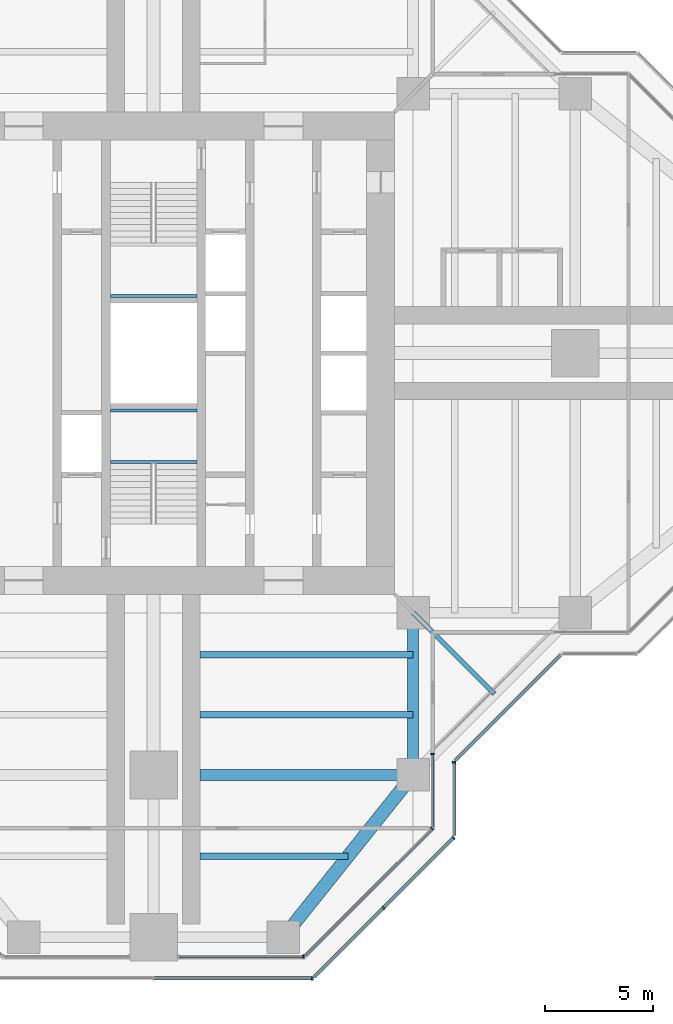
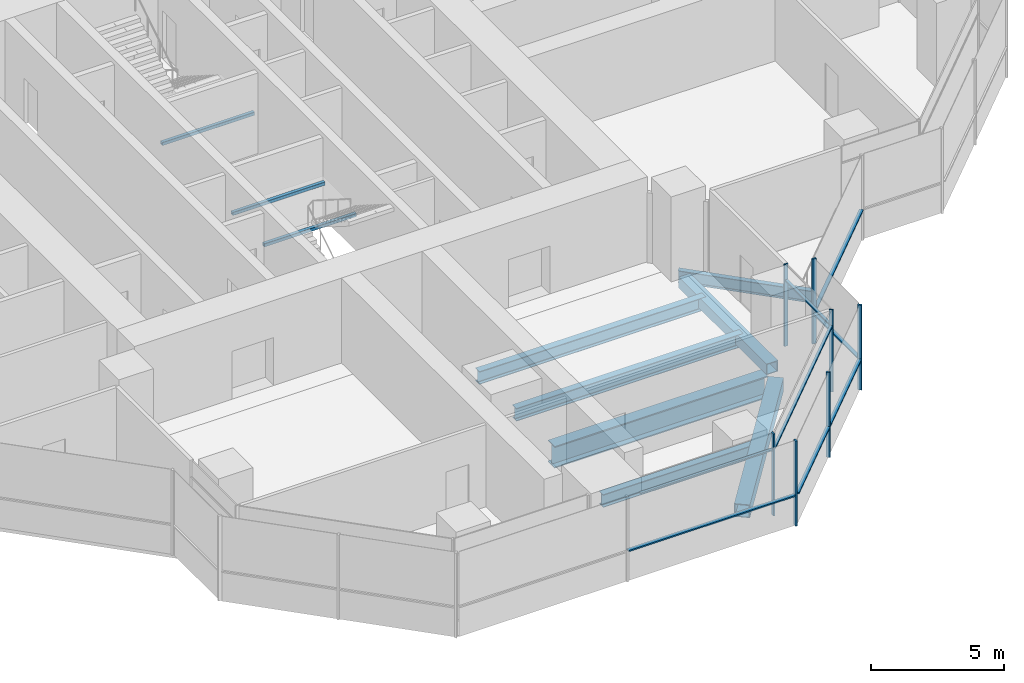
# One storey, part 4 of 17: 15 members, 10 beams, 7 elements without a shape of their own.
"""IFC4 building model written with IfcOpenShell, lengths in metres."""

from ifc_helpers import new_model, si_unit, direction, frame, origin, origin_2d, place, context, subcontext, project, spatial, rectangle, hollow_rectangle, i_section, extrude, material, material_profile, profile_set, type_object, element, aggregate, save


model = new_model("IFC4")

# Units and contexts
model_context = context("Model", 3, precision=1e-05, world=origin(), true_north=direction((0.0, 1.0)))
body_context = subcontext(model_context, "Body", "Model", "MODEL_VIEW")
ifc_project = project(units=[si_unit("LENGTHUNIT", "METRE"), si_unit("AREAUNIT", "SQUARE_METRE"), si_unit("VOLUMEUNIT", "CUBIC_METRE"), si_unit("PLANEANGLEUNIT", "RADIAN"), si_unit("MASSUNIT", "GRAM", prefix="KILO")], contexts=[model_context])

# Site, building, storey
site_placement = place(None, origin())
site = spatial("IfcSite", under=ifc_project, at=site_placement, CompositionType="ELEMENT")
building_placement = place(site_placement, origin())
building = spatial("IfcBuilding", under=site, at=building_placement, Name="Mizan Broadcast Tower", CompositionType="ELEMENT")
storey_placement = place(building_placement, frame((0.0, 0.0, 208.800048828125)))
storey = spatial("IfcBuildingStorey", under=building, at=storey_placement, Name="L48", CompositionType="ELEMENT", Elevation=208.800048828125)

# Beams
ifc_material_1 = material(Name="Steel S355", Category="steel")
ifc_material_profile_1 = material_profile(ifc_material_1, hollow_rectangle(XDim=0.5, YDim=0.5, WallThickness=0.030029296875, at=origin_2d()), Name="BOX 500x500x30")
ifc_profile_set_1 = profile_set([ifc_material_profile_1], Name="Steel S355")
beam_type_1 = type_object("IfcBeamType", Name="EDGE BEAM BOX 500x500x30", PredefinedType="SPANDREL", material=ifc_profile_set_1)
beam_1_placement = place(storey_placement, frame((12.0, -12.449951171875, -0.380126953125), z_axis=(0.0, -1.0, 0.0), x_axis=(1.0, 0.0, 0.0)))
element("IfcBeam", 1, at=beam_1_placement, inside=storey, type_object=beam_type_1, Name="Edge beam BOX 500x500x30 L48 south arm", PredefinedType="SPANDREL", context=body_context, shape_type="SweptSolid", body=[
    extrude(hollow_rectangle(XDim=0.5, YDim=0.5, WallThickness=0.030029296875, at=origin_2d()), origin(), (0.0, 0.0, 1.0), 6.60009765625),
])
ifc_material_2 = material(Name="Steel S355", Category="steel")
ifc_material_profile_2 = material_profile(ifc_material_2, hollow_rectangle(XDim=0.60009765625, YDim=0.60009765625, WallThickness=0.030029296875, at=origin_2d()), Name="BOX 600x600x30")
ifc_profile_set_2 = profile_set([ifc_material_profile_2], Name="Steel S355")
beam_type_2 = type_object("IfcBeamType", Name="EDGE BEAM BOX 600x600x30", PredefinedType="SPANDREL", material=ifc_profile_set_2)
beam_2_placement = place(storey_placement, frame((11.639892578125, -19.949951171875, -0.429931640625), z_axis=(-0.624673911726, -0.780885717636, 0.0), x_axis=(0.780885717636, -0.624673911726, 0.0)))
element("IfcBeam", 2, at=beam_2_placement, inside=storey, type_object=beam_type_2, Name="Edge beam BOX 600x600x30 L48 south arm", PredefinedType="SPANDREL", context=body_context, shape_type="SweptSolid", body=[
    extrude(hollow_rectangle(XDim=0.60009765625, YDim=0.60009765625, WallThickness=0.030029296875, at=origin_2d()), origin(), (0.0, 0.0, 1.0), 8.4521484375),
])
ifc_material_3 = material(Name="Steel S460", Category="steel")
ifc_material_profile_3 = material_profile(ifc_material_3, i_section(OverallWidth=0.5, OverallDepth=1.0, WebThickness=0.02490234375, FlangeThickness=0.050048828125, at=origin_2d()), Name="WPG 1000x500")
ifc_profile_set_3 = profile_set([ifc_material_profile_3], Name="Steel S460")
beam_type_3 = type_object("IfcBeamType", Name="GIRDER WPG 1000x500", PredefinedType="BEAM", material=ifc_profile_set_3)
beam_3_placement = place(storey_placement, frame((11.408935546875, -19.5, -0.630126953125), z_axis=(-1.0, 0.0, 0.0), x_axis=(0.0, -1.0, 0.0)))
element("IfcBeam", 3, at=beam_3_placement, inside=storey, type_object=beam_type_3, Name="Girder WPG 1000x500 L48 south arm", PredefinedType="BEAM", context=body_context, shape_type="SweptSolid", body=[
    extrude(i_section(OverallWidth=0.5, OverallDepth=1.0, WebThickness=0.02490234375, FlangeThickness=0.050048828125, at=origin_2d()), origin(), (0.0, 0.0, 1.0), 9.259033203125),
])

# Curtain wall, member
ifc_material_4 = material(Name="Aluminium framed glazing", Category="aluminium")
curtain_wall_type_1 = type_object("IfcCurtainWallType", Name="INNER SKIN HIGH ZONE", PredefinedType="USERDEFINED", material=ifc_material_4)
curtain_wall_1_placement = place(storey_placement, origin())
curtain_wall_1 = element("IfcCurtainWall", 4, at=curtain_wall_1_placement, inside=storey, type_object=curtain_wall_type_1, Name="Inner skin high zone L48 S end", ObjectType="INNER SKIN HIGH ZONE", PredefinedType="USERDEFINED")
ifc_material_5 = material(Name="Aluminium, pale anodised", Category="aluminium")
ifc_material_profile_4 = material_profile(ifc_material_5, rectangle(XDim=0.159912109375, YDim=0.06005859375, at=origin_2d()), Name="MULLION 160x60")
ifc_profile_set_4 = profile_set([ifc_material_profile_4], Name="Aluminium, pale anodised")
member_type_1 = type_object("IfcMemberType", Name="INNER SKIN MULLION 60x160", PredefinedType="MULLION", material=ifc_profile_set_4)
member_1_placement = place(storey_placement, frame((6.928466796875, -27.89990234375, 0.0), z_axis=(0.0, 0.0, 1.0), x_axis=(0.0, 1.0, 0.0)))
member_1 = element("IfcMember", 5, at=member_1_placement, type_object=member_type_1, Name="Inner skin high zone L48 S end mullion 2", PredefinedType="MULLION", context=body_context, shape_type="SweptSolid", body=[
    extrude(rectangle(XDim=0.159912109375, YDim=0.06005859375, at=origin_2d()), origin(), (0.0, 0.0, 1.0), 3.77001953125),
])

curtain_wall_2_placement = place(storey_placement, origin())
curtain_wall_2 = element("IfcCurtainWall", 6, at=curtain_wall_2_placement, inside=storey, type_object=curtain_wall_type_1, Name="Inner skin high zone L48 S chamfer", ObjectType="INNER SKIN HIGH ZONE", PredefinedType="USERDEFINED")
member_2_placement = place(storey_placement, frame((12.87890625, -21.979736328125, 0.0), z_axis=(0.0, 0.0, 1.0), x_axis=(-0.707106781187, 0.707106781187, 0.0)))
member_2 = element("IfcMember", 7, at=member_2_placement, type_object=member_type_1, Name="Inner skin high zone L48 S chamfer mullion 2", PredefinedType="MULLION", context=body_context, shape_type="SweptSolid", body=[
    extrude(rectangle(XDim=0.159912109375, YDim=0.06005859375, at=origin_2d()), origin(), (0.0, 0.0, 1.0), 3.77001953125),
])

curtain_wall_3_placement = place(storey_placement, origin())
curtain_wall_3 = element("IfcCurtainWall", 8, at=curtain_wall_3_placement, inside=storey, type_object=curtain_wall_type_1, Name="Inner skin high zone L48 S side", ObjectType="INNER SKIN HIGH ZONE", PredefinedType="USERDEFINED")
member_3_placement = place(storey_placement, frame((12.89990234375, -18.530029296875, 0.0), z_axis=(0.0, 0.0, 1.0), x_axis=(-1.0, 0.0, 0.0)))
member_3 = element("IfcMember", 9, at=member_3_placement, type_object=member_type_1, Name="Inner skin high zone L48 S side mullion 2", PredefinedType="MULLION", context=body_context, shape_type="SweptSolid", body=[
    extrude(rectangle(XDim=0.159912109375, YDim=0.06005859375, at=origin_2d()), origin(), (0.0, 0.0, 1.0), 3.77001953125),
])

# Member
ifc_material_6 = material(Name="Aluminium, pale anodised", Category="aluminium")
ifc_material_profile_5 = material_profile(ifc_material_6, rectangle(XDim=0.1201171875, YDim=0.06005859375, at=origin_2d()), Name="TRANSOM 120x60")
ifc_profile_set_5 = profile_set([ifc_material_profile_5], Name="Aluminium, pale anodised")
member_type_2 = type_object("IfcMemberType", Name="INNER SKIN TRANSOM 60x120", PredefinedType="USERDEFINED", material=ifc_profile_set_5)
member_4_placement = place(storey_placement, frame((1.159912109375, -27.89990234375, 3.030029296875), z_axis=(1.0, 0.0, 0.0), x_axis=(0.0, 1.0, 0.0)))
member_4 = element("IfcMember", 10, at=member_4_placement, type_object=member_type_2, Name="Inner skin high zone L48 S end transom 1.1", ObjectType="TRANSOM", PredefinedType="USERDEFINED", context=body_context, shape_type="SweptSolid", body=[
    extrude(rectangle(XDim=0.1201171875, YDim=0.06005859375, at=origin_2d()), origin(), (0.0, 0.0, 1.0), 5.73876953125),
])

aggregate(curtain_wall_1, [member_1, member_4])

member_5_placement = place(storey_placement, frame((7.0009765625, -27.857666015625, 3.030029296875), z_axis=(0.707106781187, 0.707106781187, 0.0), x_axis=(-0.707106781187, 0.707106781187, 0.0)))
member_5 = element("IfcMember", 11, at=member_5_placement, type_object=member_type_2, Name="Inner skin high zone L48 S chamfer transom 1.1", ObjectType="TRANSOM", PredefinedType="USERDEFINED", context=body_context, shape_type="SweptSolid", body=[
    extrude(rectangle(XDim=0.1201171875, YDim=0.06005859375, at=origin_2d()), origin(), (0.0, 0.0, 1.0), 8.28271484375),
])

aggregate(curtain_wall_2, [member_2, member_5])

member_6_placement = place(storey_placement, frame((12.89990234375, -21.898681640625, 3.030029296875), z_axis=(0.0, 1.0, 0.0), x_axis=(-1.0, 0.0, 0.0)))
member_6 = element("IfcMember", 12, at=member_6_placement, type_object=member_type_2, Name="Inner skin high zone L48 S side transom 1.1", ObjectType="TRANSOM", PredefinedType="USERDEFINED", context=body_context, shape_type="SweptSolid", body=[
    extrude(rectangle(XDim=0.1201171875, YDim=0.06005859375, at=origin_2d()), origin(), (0.0, 0.0, 1.0), 3.338623046875),
])

aggregate(curtain_wall_3, [member_3, member_6])

# Beams
ifc_material_7 = material(Name="Steel S355", Category="steel")
ifc_material_profile_6 = material_profile(ifc_material_7, hollow_rectangle(XDim=0.14990234375, YDim=0.14990234375, WallThickness=0.008056640625, InnerFilletRadius=0.008056640625, OuterFilletRadius=0.011962890625, at=origin_2d()), Name="SHS 150x150x8")
ifc_profile_set_6 = profile_set([ifc_material_profile_6], Name="Steel S355")
beam_type_4 = type_object("IfcBeamType", Name="LANDING TRIMMER SHS 150x150x8", PredefinedType="BEAM", material=ifc_profile_set_6)
for number, where, z_axis, x_axis, name in (
    (13, (-2.0, -5.02490234375, 1.675048828125), (1.0, 0.0, 0.0), (0.0, 1.0, 0.0), "Stair A landing trimmer L48"),
    (14, (-2.0, -2.64990234375, 1.675048828125), (1.0, 0.0, 0.0), (0.0, 1.0, 0.0), "Stair A landing trimmer L48"),
    (15, (2.0, 2.64990234375, 1.675048828125), (-1.0, 0.0, 0.0), (0.0, -1.0, 0.0), "Stair B landing trimmer L48"),
):
    element("IfcBeam", number, at=place(storey_placement, frame(where, z_axis=z_axis, x_axis=x_axis)), inside=storey, type_object=beam_type_4, Name=name, PredefinedType="BEAM", context=body_context, shape_type="SweptSolid", body=[
        extrude(hollow_rectangle(XDim=0.14990234375, YDim=0.14990234375, WallThickness=0.008056640625, InnerFilletRadius=0.008056640625, OuterFilletRadius=0.011962890625, at=origin_2d()), origin(), (0.0, 0.0, 1.0), 4.0),
    ])

# Curtain wall, member
ifc_material_8 = material(Name="Aluminium framed glazing", Category="aluminium")
curtain_wall_type_2 = type_object("IfcCurtainWallType", Name="OUTER SKIN", PredefinedType="USERDEFINED", material=ifc_material_8)
curtain_wall_4_placement = place(storey_placement, origin())
curtain_wall_4 = element("IfcCurtainWall", 16, at=curtain_wall_4_placement, inside=storey, type_object=curtain_wall_type_2, Name="Outer skin L48 S end", ObjectType="OUTER SKIN", PredefinedType="USERDEFINED")
ifc_material_9 = material(Name="Aluminium, pale anodised", Category="aluminium")
ifc_material_profile_7 = material_profile(ifc_material_9, rectangle(XDim=0.159912109375, YDim=0.080078125, at=origin_2d()), Name="MULLION 160x80")
ifc_profile_set_7 = profile_set([ifc_material_profile_7], Name="Aluminium, pale anodised")
member_type_3 = type_object("IfcMemberType", Name="OUTER SKIN MULLION 80x160", PredefinedType="MULLION", material=ifc_profile_set_7)
member_7_placement = place(storey_placement, frame((7.332763671875, -28.89990234375, 0.0), z_axis=(0.0, 0.0, 1.0), x_axis=(0.0, 1.0, 0.0)))
member_7 = element("IfcMember", 17, at=member_7_placement, type_object=member_type_3, Name="Outer skin L48 S end mullion 3", PredefinedType="MULLION", context=body_context, shape_type="SweptSolid", body=[
    extrude(rectangle(XDim=0.159912109375, YDim=0.080078125, at=origin_2d()), origin(), (0.0, 0.0, 1.0), 3.89990234375),
])

# Curtain wall, members
curtain_wall_5_placement = place(storey_placement, origin())
curtain_wall_5 = element("IfcCurtainWall", 18, at=curtain_wall_5_placement, inside=storey, type_object=curtain_wall_type_2, Name="Outer skin L48 S chamfer", ObjectType="OUTER SKIN", PredefinedType="USERDEFINED")
member_8_placement = place(storey_placement, frame((10.636474609375, -25.636474609375, 0.0), z_axis=(0.0, 0.0, 1.0), x_axis=(-0.707106781187, 0.707106781187, 0.0)))
member_8 = element("IfcMember", 19, at=member_8_placement, type_object=member_type_3, Name="Outer skin L48 S chamfer mullion 2", PredefinedType="MULLION", context=body_context, shape_type="SweptSolid", body=[
    extrude(rectangle(XDim=0.159912109375, YDim=0.080078125, at=origin_2d()), origin(), (0.0, 0.0, 1.0), 3.89990234375),
])
member_9_placement = place(storey_placement, frame((13.871826171875, -22.401123046875, 0.0), z_axis=(0.0, 0.0, 1.0), x_axis=(-0.707106781187, 0.707106781187, 0.0)))
member_9 = element("IfcMember", 20, at=member_9_placement, type_object=member_type_3, Name="Outer skin L48 S chamfer mullion 3", PredefinedType="MULLION", context=body_context, shape_type="SweptSolid", body=[
    extrude(rectangle(XDim=0.159912109375, YDim=0.080078125, at=origin_2d()), origin(), (0.0, 0.0, 1.0), 3.89990234375),
])

# Curtain wall, member
curtain_wall_6_placement = place(storey_placement, origin())
curtain_wall_6 = element("IfcCurtainWall", 21, at=curtain_wall_6_placement, inside=storey, type_object=curtain_wall_type_2, Name="Outer skin L48 S side", ObjectType="OUTER SKIN", PredefinedType="USERDEFINED")
member_10_placement = place(storey_placement, frame((13.89990234375, -18.912841796875, 0.0), z_axis=(0.0, 0.0, 1.0), x_axis=(-1.0, 0.0, 0.0)))
member_10 = element("IfcMember", 22, at=member_10_placement, type_object=member_type_3, Name="Outer skin L48 S side mullion 2", PredefinedType="MULLION", context=body_context, shape_type="SweptSolid", body=[
    extrude(rectangle(XDim=0.159912109375, YDim=0.080078125, at=origin_2d()), origin(), (0.0, 0.0, 1.0), 3.89990234375),
])

# Member
ifc_material_10 = material(Name="Aluminium, pale anodised", Category="aluminium")
ifc_material_profile_8 = material_profile(ifc_material_10, rectangle(XDim=0.159912109375, YDim=0.06005859375, at=origin_2d()), Name="TRANSOM 160x60")
ifc_profile_set_8 = profile_set([ifc_material_profile_8], Name="Aluminium, pale anodised")
member_type_4 = type_object("IfcMemberType", Name="OUTER SKIN TRANSOM 60x160", PredefinedType="USERDEFINED", material=ifc_profile_set_8)
member_11_placement = place(storey_placement, frame((0.0400390625, -28.89990234375, 1.39990234375), z_axis=(1.0, 0.0, 0.0), x_axis=(0.0, 1.0, 0.0)))
member_11 = element("IfcMember", 23, at=member_11_placement, type_object=member_type_4, Name="Outer skin L48 S end transom 2.1", ObjectType="TRANSOM", PredefinedType="USERDEFINED", context=body_context, shape_type="SweptSolid", body=[
    extrude(rectangle(XDim=0.159912109375, YDim=0.06005859375, at=origin_2d()), origin(), (0.0, 0.0, 1.0), 7.252685546875),
])

aggregate(curtain_wall_4, [member_7, member_11])

member_12_placement = place(storey_placement, frame((7.429443359375, -28.843505859375, 1.39990234375), z_axis=(0.707106781187, 0.707106781187, 0.0), x_axis=(-0.707106781187, 0.707106781187, 0.0)))
member_12 = element("IfcMember", 24, at=member_12_placement, type_object=member_type_4, Name="Outer skin L48 S chamfer transom 1.1", ObjectType="TRANSOM", PredefinedType="USERDEFINED", context=body_context, shape_type="SweptSolid", body=[
    extrude(rectangle(XDim=0.159912109375, YDim=0.06005859375, at=origin_2d()), origin(), (0.0, 0.0, 1.0), 4.495361328125),
])

member_13_placement = place(storey_placement, frame((10.664794921875, -25.608154296875, 1.39990234375), z_axis=(0.707106781187, 0.707106781187, 0.0), x_axis=(-0.707106781187, 0.707106781187, 0.0)))
member_13 = element("IfcMember", 25, at=member_13_placement, type_object=member_type_4, Name="Outer skin L48 S chamfer transom 2.1", ObjectType="TRANSOM", PredefinedType="USERDEFINED", context=body_context, shape_type="SweptSolid", body=[
    extrude(rectangle(XDim=0.159912109375, YDim=0.06005859375, at=origin_2d()), origin(), (0.0, 0.0, 1.0), 4.495361328125),
])

aggregate(curtain_wall_5, [member_8, member_9, member_12, member_13])

member_14_placement = place(storey_placement, frame((13.89990234375, -22.292724609375, 1.39990234375), z_axis=(0.0, 1.0, 0.0), x_axis=(-1.0, 0.0, 0.0)))
member_14 = element("IfcMember", 26, at=member_14_placement, type_object=member_type_4, Name="Outer skin L48 S side transom 1.1", ObjectType="TRANSOM", PredefinedType="USERDEFINED", context=body_context, shape_type="SweptSolid", body=[
    extrude(rectangle(XDim=0.159912109375, YDim=0.06005859375, at=origin_2d()), origin(), (0.0, 0.0, 1.0), 3.33984375),
])

aggregate(curtain_wall_6, [member_10, member_14])

# Curtain wall, member
curtain_wall_7_placement = place(storey_placement, origin())
curtain_wall_7 = element("IfcCurtainWall", 27, at=curtain_wall_7_placement, inside=storey, type_object=curtain_wall_type_2, Name="Outer skin L48 E chamfer", ObjectType="OUTER SKIN", PredefinedType="USERDEFINED")
member_15_placement = place(storey_placement, frame((13.95654296875, -18.816162109375, 1.39990234375), z_axis=(0.707106781187, 0.707106781187, 0.0), x_axis=(-0.707106781187, 0.707106781187, 0.0)))
member_15 = element("IfcMember", 28, at=member_15_placement, type_object=member_type_4, Name="Outer skin L48 E chamfer transom 1.1", ObjectType="TRANSOM", PredefinedType="USERDEFINED", context=body_context, shape_type="SweptSolid", body=[
    extrude(rectangle(XDim=0.159912109375, YDim=0.06005859375, at=origin_2d()), origin(), (0.0, 0.0, 1.0), 6.87255859375),
])
aggregate(curtain_wall_7, [member_15])

# Beams
ifc_material_11 = material(Name="Steel S355", Category="steel")
ifc_material_profile_9 = material_profile(ifc_material_11, i_section(OverallWidth=0.300048828125, OverallDepth=0.590087890625, WebThickness=0.012939453125, FlangeThickness=0.02490234375, FilletRadius=0.027099609375, at=origin_2d()), Name="HEA 600")
ifc_profile_set_9 = profile_set([ifc_material_profile_9], Name="Steel S355")
beam_type_5 = type_object("IfcBeamType", Name="SECONDARY BEAM HEA 600", PredefinedType="JOIST", material=ifc_profile_set_9)
for number, where, z_axis, x_axis, name in (
    (29, (12.0, -13.933349609375, -0.425048828125), (-1.0, 0.0, 0.0), (0.0, -1.0, 0.0), "Secondary beam HEA 600 L48 south arm"),
    (30, (12.0, -16.716552734375, -0.425048828125), (-1.0, 0.0, 0.0), (0.0, -1.0, 0.0), "Secondary beam HEA 600 L48 south arm"),
):
    element("IfcBeam", number, at=place(storey_placement, frame(where, z_axis=z_axis, x_axis=x_axis)), inside=storey, type_object=beam_type_5, Name=name, PredefinedType="JOIST", context=body_context, shape_type="SweptSolid", body=[
        extrude(i_section(OverallWidth=0.300048828125, OverallDepth=0.590087890625, WebThickness=0.012939453125, FlangeThickness=0.02490234375, FilletRadius=0.027099609375, at=origin_2d()), origin(), (0.0, 0.0, 1.0), 9.85009765625),
    ])
beam_4_placement = place(storey_placement, frame((9.0, -23.25, -0.425048828125), z_axis=(-1.0, 0.0, 0.0), x_axis=(0.0, -1.0, 0.0)))
element("IfcBeam", 31, at=beam_4_placement, inside=storey, type_object=beam_type_5, Name="Secondary beam HEA 600 L48 south arm", PredefinedType="JOIST", context=body_context, shape_type="SweptSolid", body=[
    extrude(i_section(OverallWidth=0.300048828125, OverallDepth=0.590087890625, WebThickness=0.012939453125, FlangeThickness=0.02490234375, FilletRadius=0.027099609375, at=origin_2d()), origin(), (0.0, 0.0, 1.0), 6.85009765625),
])
ifc_material_12 = material(Name="Steel S355", Category="steel")
ifc_material_profile_10 = material_profile(ifc_material_12, i_section(OverallWidth=0.2099609375, OverallDepth=0.550048828125, WebThickness=0.010986328125, FlangeThickness=0.01708984375, FilletRadius=0.02392578125, at=origin_2d()), Name="IPE 550")
ifc_profile_set_10 = profile_set([ifc_material_profile_10], Name="Steel S355")
beam_type_6 = type_object("IfcBeamType", Name="SECONDARY BEAM IPE 550", PredefinedType="JOIST", material=ifc_profile_set_10)
beam_5_placement = place(storey_placement, frame((12.0, -12.0, -0.405029296875), z_axis=(0.707106781187, -0.707106781187, 0.0), x_axis=(0.707106781187, 0.707106781187, 0.0)))
element("IfcBeam", 32, at=beam_5_placement, inside=storey, type_object=beam_type_6, Name="Winter garden beam L48 S", PredefinedType="JOIST", context=body_context, shape_type="SweptSolid", body=[
    extrude(i_section(OverallWidth=0.2099609375, OverallDepth=0.550048828125, WebThickness=0.010986328125, FlangeThickness=0.01708984375, FilletRadius=0.02392578125, at=origin_2d()), origin(), (0.0, 0.0, 1.0), 5.30322265625),
])

save(model, "model.ifc")
